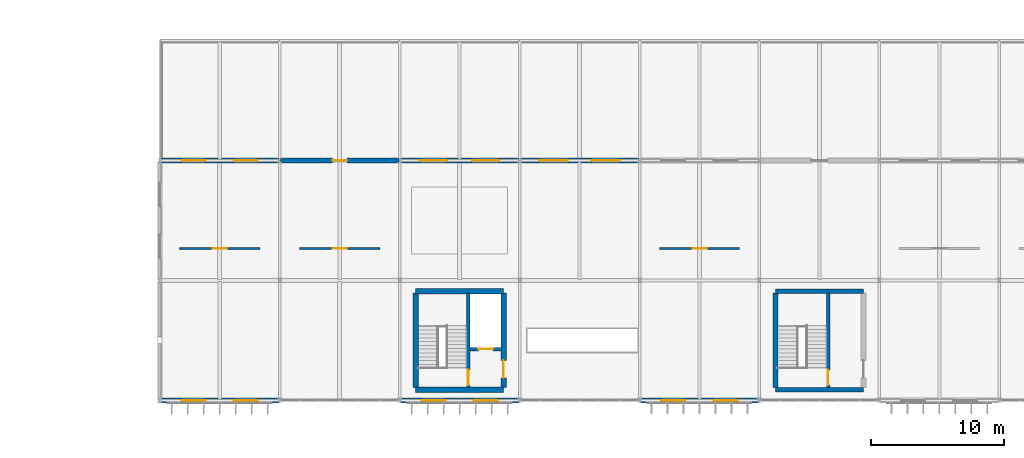
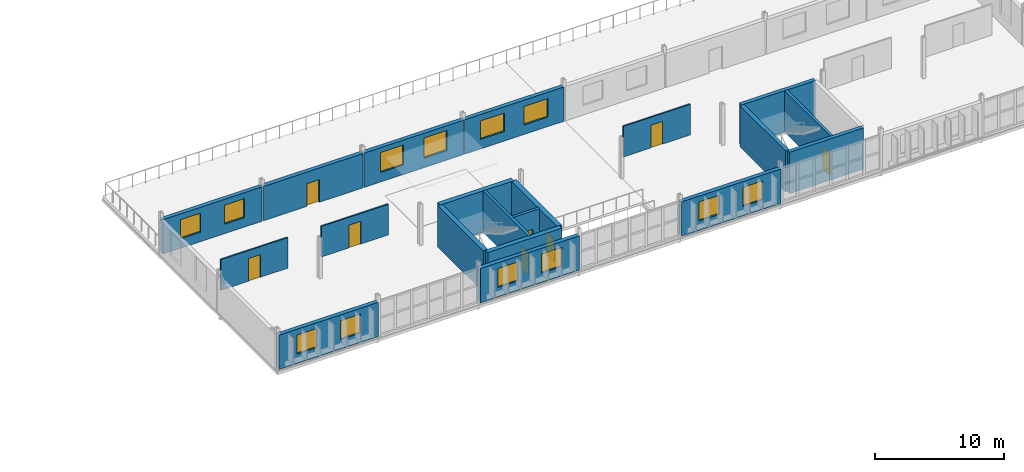
# One storey, part 103 of 123: 20 walls, 12 windows, 8 doors, 20 openings.
"""IFC4 building model written with IfcOpenShell, lengths in metres."""

from ifc_helpers import new_model, si_unit, direction, frame, frame_2d, origin, place, context, subcontext, project, spatial, rectangle, extrude, material, layer, layer_set, type_object, element, fill, save


model = new_model("IFC4")

# Units and contexts
model_context = context("Model", 3, precision=1e-05, world=origin(), true_north=direction((0.0, 1.0)))
body_context = subcontext(model_context, "Body", "Model", "MODEL_VIEW")
ifc_project = project(units=[si_unit("LENGTHUNIT", "METRE"), si_unit("AREAUNIT", "SQUARE_METRE"), si_unit("VOLUMEUNIT", "CUBIC_METRE"), si_unit("PLANEANGLEUNIT", "RADIAN"), si_unit("MASSUNIT", "GRAM", prefix="KILO")], contexts=[model_context])

# Site, building, storey
site_placement = place(None, origin())
site = spatial("IfcSite", under=ifc_project, at=site_placement, CompositionType="ELEMENT")
building_placement = place(site_placement, origin())
building = spatial("IfcBuilding", under=site, at=building_placement, Name="Kildeholm Park Wholesale Market", CompositionType="ELEMENT")
storey_placement = place(building_placement, frame((0.0, 0.0, 9.60009765625)))
storey = spatial("IfcBuildingStorey", under=building, at=storey_placement, Name="L02", CompositionType="ELEMENT", Elevation=9.60009765625)

# Wall, openings, windows
ifc_material_1 = material(Name="Red Danish clinker brick masonry with Concrete C35/45 backing", Category="masonry")
ifc_layer_1 = layer(ifc_material_1, 0.360107421875)
ifc_layer_set_1 = layer_set([ifc_layer_1], Name="Red Danish clinker brick masonry with Concrete C35/45 backing")
wall_type_1 = type_object("IfcWallType", Name="Exterior wall W-EX1 360 mm", PredefinedType="SOLIDWALL", material=ifc_layer_set_1)
wall_1_placement = place(storey_placement, frame((126.06005859375, 0.0, 0.0), z_axis=(0.0, 0.0, 1.0), x_axis=(1.0, 0.0, 0.0)))
wall_1 = element("IfcWall", 1, at=wall_1_placement, inside=storey, type_object=wall_type_1, Name="Exterior wall V5E-L02-S01.1 WL-0611", PredefinedType="SOLIDWALL", context=body_context, shape_type="SweptSolid", body=[
    extrude(rectangle(XDim=8.8798828125, YDim=0.360107421875, at=frame_2d((4.43994140625, 0.0))), origin(), (0.0, 0.0, 1.0), 3.25),
])
opening_1_placement = place(wall_1_placement, frame((1.5859375, 0.0, 0.89990234375)))
opening_1 = element("IfcOpeningElement", 2, at=opening_1_placement, cuts=wall_1, Name="Opening WN-07", PredefinedType="OPENING", context=body_context, shape_type="SweptSolid", body=[
    extrude(rectangle(XDim=1.800048828125, YDim=1.800048828125, at=frame_2d((0.89990234375, 0.89990234375))), frame((0.0, 0.18994140625, 0.0), z_axis=(0.0, -1.0, 0.0), x_axis=(1.0, 0.0, 0.0)), (0.0, 0.0, 1.0), 0.380126953125),
])
opening_2_placement = place(wall_1_placement, frame((5.493896484375, 0.0, 0.89990234375)))
opening_2 = element("IfcOpeningElement", 3, at=opening_2_placement, cuts=wall_1, Name="Opening WN-07", PredefinedType="OPENING", context=body_context, shape_type="SweptSolid", body=[
    extrude(rectangle(XDim=1.800048828125, YDim=1.800048828125, at=frame_2d((0.89990234375, 0.89990234375))), frame((0.0, 0.18994140625, 0.0), z_axis=(0.0, -1.0, 0.0), x_axis=(1.0, 0.0, 0.0)), (0.0, 0.0, 1.0), 0.380126953125),
])
ifc_material_2 = material(Name="Thermally broken aluminium and triple-glazed low-E glass", Category="aluminium")
window_type_1 = type_object("IfcWindowType", Name="Window WN-07 1800x1800", PartitioningType="DOUBLE_PANEL_VERTICAL", PredefinedType="WINDOW", material=ifc_material_2)
window_1_placement = place(opening_1_placement, origin())
window_1 = element("IfcWindow", 4, at=window_1_placement, inside=storey, type_object=window_type_1, Name="Window V5E-L02-S01.1.1 WIN-0414", OverallHeight=1.800048828125, OverallWidth=1.800048828125, PartitioningType="SINGLE_PANEL", PredefinedType="WINDOW", context=body_context, shape_type="SweptSolid", body=[
    extrude(rectangle(XDim=1.800048828125, YDim=1.800048828125, at=frame_2d((0.89990234375, 0.89990234375))), frame((0.0, 0.030029296875, 0.0), z_axis=(0.0, -1.0, 0.0), x_axis=(1.0, 0.0, 0.0)), (0.0, 0.0, 1.0), 0.06005859375),
])
fill(opening_1, window_1)
window_2_placement = place(opening_2_placement, origin())
window_2 = element("IfcWindow", 5, at=window_2_placement, inside=storey, type_object=window_type_1, Name="Window V5E-L02-S01.1.2 WIN-0415", OverallHeight=1.800048828125, OverallWidth=1.800048828125, PartitioningType="SINGLE_PANEL", PredefinedType="WINDOW", context=body_context, shape_type="SweptSolid", body=[
    extrude(rectangle(XDim=1.800048828125, YDim=1.800048828125, at=frame_2d((0.89990234375, 0.89990234375))), frame((0.0, 0.030029296875, 0.0), z_axis=(0.0, -1.0, 0.0), x_axis=(1.0, 0.0, 0.0)), (0.0, 0.0, 1.0), 0.06005859375),
])
fill(opening_2, window_2)

wall_2_placement = place(storey_placement, frame((144.06005859375, 0.0, 0.0), z_axis=(0.0, 0.0, 1.0), x_axis=(1.0, 0.0, 0.0)))
wall_2 = element("IfcWall", 6, at=wall_2_placement, inside=storey, type_object=wall_type_1, Name="Exterior wall V5E-L02-S03.1 WL-0612", PredefinedType="SOLIDWALL", context=body_context, shape_type="SweptSolid", body=[
    extrude(rectangle(XDim=8.8798828125, YDim=0.360107421875, at=frame_2d((4.43994140625, 0.0))), origin(), (0.0, 0.0, 1.0), 3.25),
])
opening_3_placement = place(wall_2_placement, frame((1.5859375, 0.0, 0.89990234375)))
opening_3 = element("IfcOpeningElement", 7, at=opening_3_placement, cuts=wall_2, Name="Opening WN-07", PredefinedType="OPENING", context=body_context, shape_type="SweptSolid", body=[
    extrude(rectangle(XDim=1.800048828125, YDim=1.800048828125, at=frame_2d((0.89990234375, 0.89990234375))), frame((0.0, 0.18994140625, 0.0), z_axis=(0.0, -1.0, 0.0), x_axis=(1.0, 0.0, 0.0)), (0.0, 0.0, 1.0), 0.380126953125),
])
opening_4_placement = place(wall_2_placement, frame((5.493896484375, 0.0, 0.89990234375)))
opening_4 = element("IfcOpeningElement", 8, at=opening_4_placement, cuts=wall_2, Name="Opening WN-07", PredefinedType="OPENING", context=body_context, shape_type="SweptSolid", body=[
    extrude(rectangle(XDim=1.800048828125, YDim=1.800048828125, at=frame_2d((0.89990234375, 0.89990234375))), frame((0.0, 0.18994140625, 0.0), z_axis=(0.0, -1.0, 0.0), x_axis=(1.0, 0.0, 0.0)), (0.0, 0.0, 1.0), 0.380126953125),
])
window_3_placement = place(opening_3_placement, origin())
window_3 = element("IfcWindow", 9, at=window_3_placement, inside=storey, type_object=window_type_1, Name="Window V5E-L02-S03.1.1 WIN-0416", OverallHeight=1.800048828125, OverallWidth=1.800048828125, PartitioningType="SINGLE_PANEL", PredefinedType="WINDOW", context=body_context, shape_type="SweptSolid", body=[
    extrude(rectangle(XDim=1.800048828125, YDim=1.800048828125, at=frame_2d((0.89990234375, 0.89990234375))), frame((0.0, 0.030029296875, 0.0), z_axis=(0.0, -1.0, 0.0), x_axis=(1.0, 0.0, 0.0)), (0.0, 0.0, 1.0), 0.06005859375),
])
fill(opening_3, window_3)
window_4_placement = place(opening_4_placement, origin())
window_4 = element("IfcWindow", 10, at=window_4_placement, inside=storey, type_object=window_type_1, Name="Window V5E-L02-S03.1.2 WIN-0417", OverallHeight=1.800048828125, OverallWidth=1.800048828125, PartitioningType="SINGLE_PANEL", PredefinedType="WINDOW", context=body_context, shape_type="SweptSolid", body=[
    extrude(rectangle(XDim=1.800048828125, YDim=1.800048828125, at=frame_2d((0.89990234375, 0.89990234375))), frame((0.0, 0.030029296875, 0.0), z_axis=(0.0, -1.0, 0.0), x_axis=(1.0, 0.0, 0.0)), (0.0, 0.0, 1.0), 0.06005859375),
])
fill(opening_4, window_4)

wall_3_placement = place(storey_placement, frame((162.06005859375, 0.0, 0.0), z_axis=(0.0, 0.0, 1.0), x_axis=(1.0, 0.0, 0.0)))
wall_3 = element("IfcWall", 11, at=wall_3_placement, inside=storey, type_object=wall_type_1, Name="Exterior wall V5E-L02-S05.1 WL-0613", PredefinedType="SOLIDWALL", context=body_context, shape_type="SweptSolid", body=[
    extrude(rectangle(XDim=8.8798828125, YDim=0.360107421875, at=frame_2d((4.43994140625, 0.0))), origin(), (0.0, 0.0, 1.0), 3.25),
])
opening_5_placement = place(wall_3_placement, frame((1.5859375, 0.0, 0.89990234375)))
opening_5 = element("IfcOpeningElement", 12, at=opening_5_placement, cuts=wall_3, Name="Opening WN-07", PredefinedType="OPENING", context=body_context, shape_type="SweptSolid", body=[
    extrude(rectangle(XDim=1.800048828125, YDim=1.800048828125, at=frame_2d((0.89990234375, 0.89990234375))), frame((0.0, 0.18994140625, 0.0), z_axis=(0.0, -1.0, 0.0), x_axis=(1.0, 0.0, 0.0)), (0.0, 0.0, 1.0), 0.380126953125),
])
opening_6_placement = place(wall_3_placement, frame((5.493896484375, 0.0, 0.89990234375)))
opening_6 = element("IfcOpeningElement", 13, at=opening_6_placement, cuts=wall_3, Name="Opening WN-07", PredefinedType="OPENING", context=body_context, shape_type="SweptSolid", body=[
    extrude(rectangle(XDim=1.800048828125, YDim=1.800048828125, at=frame_2d((0.89990234375, 0.89990234375))), frame((0.0, 0.18994140625, 0.0), z_axis=(0.0, -1.0, 0.0), x_axis=(1.0, 0.0, 0.0)), (0.0, 0.0, 1.0), 0.380126953125),
])
window_5_placement = place(opening_5_placement, origin())
window_5 = element("IfcWindow", 14, at=window_5_placement, inside=storey, type_object=window_type_1, Name="Window V5E-L02-S05.1.1 WIN-0418", OverallHeight=1.800048828125, OverallWidth=1.800048828125, PartitioningType="SINGLE_PANEL", PredefinedType="WINDOW", context=body_context, shape_type="SweptSolid", body=[
    extrude(rectangle(XDim=1.800048828125, YDim=1.800048828125, at=frame_2d((0.89990234375, 0.89990234375))), frame((0.0, 0.030029296875, 0.0), z_axis=(0.0, -1.0, 0.0), x_axis=(1.0, 0.0, 0.0)), (0.0, 0.0, 1.0), 0.06005859375),
])
fill(opening_5, window_5)
window_6_placement = place(opening_6_placement, origin())
window_6 = element("IfcWindow", 15, at=window_6_placement, inside=storey, type_object=window_type_1, Name="Window V5E-L02-S05.1.2 WIN-0419", OverallHeight=1.800048828125, OverallWidth=1.800048828125, PartitioningType="SINGLE_PANEL", PredefinedType="WINDOW", context=body_context, shape_type="SweptSolid", body=[
    extrude(rectangle(XDim=1.800048828125, YDim=1.800048828125, at=frame_2d((0.89990234375, 0.89990234375))), frame((0.0, 0.030029296875, 0.0), z_axis=(0.0, -1.0, 0.0), x_axis=(1.0, 0.0, 0.0)), (0.0, 0.0, 1.0), 0.06005859375),
])
fill(opening_6, window_6)

wall_4_placement = place(storey_placement, frame((126.06005859375, 18.0, 0.0), z_axis=(0.0, 0.0, 1.0), x_axis=(1.0, 0.0, 0.0)))
wall_4 = element("IfcWall", 16, at=wall_4_placement, inside=storey, type_object=wall_type_1, Name="Exterior wall V5E-L02-N.1 WL-0615", PredefinedType="SOLIDWALL", context=body_context, shape_type="SweptSolid", body=[
    extrude(rectangle(XDim=8.8798828125, YDim=0.360107421875, at=frame_2d((4.43994140625, 0.0))), origin(), (0.0, 0.0, 1.0), 3.25),
])
opening_7_placement = place(wall_4_placement, frame((1.5859375, 0.0, 0.89990234375)))
opening_7 = element("IfcOpeningElement", 17, at=opening_7_placement, cuts=wall_4, Name="Opening WN-07", PredefinedType="OPENING", context=body_context, shape_type="SweptSolid", body=[
    extrude(rectangle(XDim=1.800048828125, YDim=1.800048828125, at=frame_2d((0.89990234375, 0.89990234375))), frame((0.0, 0.18994140625, 0.0), z_axis=(0.0, -1.0, 0.0), x_axis=(1.0, 0.0, 0.0)), (0.0, 0.0, 1.0), 0.380126953125),
])
opening_8_placement = place(wall_4_placement, frame((5.493896484375, 0.0, 0.89990234375)))
opening_8 = element("IfcOpeningElement", 18, at=opening_8_placement, cuts=wall_4, Name="Opening WN-07", PredefinedType="OPENING", context=body_context, shape_type="SweptSolid", body=[
    extrude(rectangle(XDim=1.800048828125, YDim=1.800048828125, at=frame_2d((0.89990234375, 0.89990234375))), frame((0.0, 0.18994140625, 0.0), z_axis=(0.0, -1.0, 0.0), x_axis=(1.0, 0.0, 0.0)), (0.0, 0.0, 1.0), 0.380126953125),
])
window_7_placement = place(opening_7_placement, origin())
window_7 = element("IfcWindow", 19, at=window_7_placement, inside=storey, type_object=window_type_1, Name="Window V5E-L02-N.1.1 WIN-0422", OverallHeight=1.800048828125, OverallWidth=1.800048828125, PartitioningType="SINGLE_PANEL", PredefinedType="WINDOW", context=body_context, shape_type="SweptSolid", body=[
    extrude(rectangle(XDim=1.800048828125, YDim=1.800048828125, at=frame_2d((0.89990234375, 0.89990234375))), frame((0.0, 0.030029296875, 0.0), z_axis=(0.0, -1.0, 0.0), x_axis=(1.0, 0.0, 0.0)), (0.0, 0.0, 1.0), 0.06005859375),
])
fill(opening_7, window_7)
window_8_placement = place(opening_8_placement, origin())
window_8 = element("IfcWindow", 20, at=window_8_placement, inside=storey, type_object=window_type_1, Name="Window V5E-L02-N.1.2 WIN-0423", OverallHeight=1.800048828125, OverallWidth=1.800048828125, PartitioningType="SINGLE_PANEL", PredefinedType="WINDOW", context=body_context, shape_type="SweptSolid", body=[
    extrude(rectangle(XDim=1.800048828125, YDim=1.800048828125, at=frame_2d((0.89990234375, 0.89990234375))), frame((0.0, 0.030029296875, 0.0), z_axis=(0.0, -1.0, 0.0), x_axis=(1.0, 0.0, 0.0)), (0.0, 0.0, 1.0), 0.06005859375),
])
fill(opening_8, window_8)

# Wall, opening, door
wall_5_placement = place(storey_placement, frame((135.06005859375, 18.0, 0.0), z_axis=(0.0, 0.0, 1.0), x_axis=(1.0, 0.0, 0.0)))
wall_5 = element("IfcWall", 21, at=wall_5_placement, inside=storey, type_object=wall_type_1, Name="Exterior wall V5E-L02-N.2 WL-0616", PredefinedType="SOLIDWALL", context=body_context, shape_type="SweptSolid", body=[
    extrude(rectangle(XDim=8.8798828125, YDim=0.360107421875, at=frame_2d((4.43994140625, 0.0))), origin(), (0.0, 0.0, 1.0), 3.25),
])
opening_9_placement = place(wall_5_placement, frame((3.889892578125, 0.0, 0.0)))
opening_9 = element("IfcOpeningElement", 22, at=opening_9_placement, cuts=wall_5, Name="Opening D-EX06", PredefinedType="OPENING", context=body_context, shape_type="SweptSolid", body=[
    extrude(rectangle(XDim=1.10009765625, YDim=2.14990234375, at=frame_2d((0.550048828125, 1.074951171875))), frame((0.0, 0.18994140625, 0.0), z_axis=(0.0, -1.0, 0.0), x_axis=(1.0, 0.0, 0.0)), (0.0, 0.0, 1.0), 0.380126953125),
])
ifc_material_3 = material(Name="Anodised aluminium terrace doorset", Category="aluminium")
door_type_1 = type_object("IfcDoorType", Name="Exterior door D-EX06 1100x2150", OperationType="NOTDEFINED", PredefinedType="DOOR", material=ifc_material_3)
door_1_placement = place(opening_9_placement, origin())
door_1 = element("IfcDoor", 23, at=door_1_placement, inside=storey, type_object=door_type_1, Name="Door V5E-L02-N.2 DR-0068 WL-0616", OperationType="SINGLE_SWING_RIGHT", OverallHeight=2.14990234375, OverallWidth=1.10009765625, PredefinedType="DOOR", context=body_context, shape_type="SweptSolid", body=[
    extrude(rectangle(XDim=1.10009765625, YDim=2.14990234375, at=frame_2d((0.550048828125, 1.074951171875))), frame((0.0, 0.02490234375, 0.0), z_axis=(0.0, -1.0, 0.0), x_axis=(1.0, 0.0, 0.0)), (0.0, 0.0, 1.0), 0.050048828125),
])
fill(opening_9, door_1)

# Wall, openings, windows
wall_6_placement = place(storey_placement, frame((144.06005859375, 18.0, 0.0), z_axis=(0.0, 0.0, 1.0), x_axis=(1.0, 0.0, 0.0)))
wall_6 = element("IfcWall", 24, at=wall_6_placement, inside=storey, type_object=wall_type_1, Name="Exterior wall V5E-L02-N.3 WL-0617", PredefinedType="SOLIDWALL", context=body_context, shape_type="SweptSolid", body=[
    extrude(rectangle(XDim=8.8798828125, YDim=0.360107421875, at=frame_2d((4.43994140625, 0.0))), origin(), (0.0, 0.0, 1.0), 3.25),
])
opening_10_placement = place(wall_6_placement, frame((1.4609375, 0.0, 0.89990234375)))
opening_10 = element("IfcOpeningElement", 25, at=opening_10_placement, cuts=wall_6, Name="Opening WN-31", PredefinedType="OPENING", context=body_context, shape_type="SweptSolid", body=[
    extrude(rectangle(XDim=2.050048828125, YDim=1.89990234375, at=frame_2d((1.02490234375, 0.949951171875))), frame((0.0, 0.18994140625, 0.0), z_axis=(0.0, -1.0, 0.0), x_axis=(1.0, 0.0, 0.0)), (0.0, 0.0, 1.0), 0.380126953125),
])
opening_11_placement = place(wall_6_placement, frame((5.368896484375, 0.0, 0.89990234375)))
opening_11 = element("IfcOpeningElement", 26, at=opening_11_placement, cuts=wall_6, Name="Opening WN-31", PredefinedType="OPENING", context=body_context, shape_type="SweptSolid", body=[
    extrude(rectangle(XDim=2.050048828125, YDim=1.89990234375, at=frame_2d((1.02490234375, 0.949951171875))), frame((0.0, 0.18994140625, 0.0), z_axis=(0.0, -1.0, 0.0), x_axis=(1.0, 0.0, 0.0)), (0.0, 0.0, 1.0), 0.380126953125),
])
window_type_2 = type_object("IfcWindowType", Name="Window WN-31 2050x1900", PartitioningType="TRIPLE_PANEL_VERTICAL", PredefinedType="WINDOW", material=ifc_material_2)
window_9_placement = place(opening_10_placement, origin())
window_9 = element("IfcWindow", 27, at=window_9_placement, inside=storey, type_object=window_type_2, Name="Window V5E-L02-N.3.1 WIN-0424", OverallHeight=1.89990234375, OverallWidth=2.050048828125, PartitioningType="SINGLE_PANEL", PredefinedType="WINDOW", context=body_context, shape_type="SweptSolid", body=[
    extrude(rectangle(XDim=2.050048828125, YDim=1.89990234375, at=frame_2d((1.02490234375, 0.949951171875))), frame((0.0, 0.030029296875, 0.0), z_axis=(0.0, -1.0, 0.0), x_axis=(1.0, 0.0, 0.0)), (0.0, 0.0, 1.0), 0.06005859375),
])
fill(opening_10, window_9)
window_10_placement = place(opening_11_placement, origin())
window_10 = element("IfcWindow", 28, at=window_10_placement, inside=storey, type_object=window_type_2, Name="Window V5E-L02-N.3.2 WIN-0425", OverallHeight=1.89990234375, OverallWidth=2.050048828125, PartitioningType="SINGLE_PANEL", PredefinedType="WINDOW", context=body_context, shape_type="SweptSolid", body=[
    extrude(rectangle(XDim=2.050048828125, YDim=1.89990234375, at=frame_2d((1.02490234375, 0.949951171875))), frame((0.0, 0.030029296875, 0.0), z_axis=(0.0, -1.0, 0.0), x_axis=(1.0, 0.0, 0.0)), (0.0, 0.0, 1.0), 0.06005859375),
])
fill(opening_11, window_10)

wall_7_placement = place(storey_placement, frame((153.06005859375, 18.0, 0.0), z_axis=(0.0, 0.0, 1.0), x_axis=(1.0, 0.0, 0.0)))
wall_7 = element("IfcWall", 29, at=wall_7_placement, inside=storey, type_object=wall_type_1, Name="Exterior wall V5E-L02-N.4 WL-0618", PredefinedType="SOLIDWALL", context=body_context, shape_type="SweptSolid", body=[
    extrude(rectangle(XDim=8.8798828125, YDim=0.360107421875, at=frame_2d((4.43994140625, 0.0))), origin(), (0.0, 0.0, 1.0), 3.25),
])
opening_12_placement = place(wall_7_placement, frame((1.410888671875, 0.0, 0.89990234375)))
opening_12 = element("IfcOpeningElement", 30, at=opening_12_placement, cuts=wall_7, Name="Opening WN-32", PredefinedType="OPENING", context=body_context, shape_type="SweptSolid", body=[
    extrude(rectangle(XDim=2.14990234375, YDim=1.75, at=frame_2d((1.074951171875, 0.875))), frame((0.0, 0.18994140625, 0.0), z_axis=(0.0, -1.0, 0.0), x_axis=(1.0, 0.0, 0.0)), (0.0, 0.0, 1.0), 0.380126953125),
])
opening_13_placement = place(wall_7_placement, frame((5.319091796875, 0.0, 0.89990234375)))
opening_13 = element("IfcOpeningElement", 31, at=opening_13_placement, cuts=wall_7, Name="Opening WN-32", PredefinedType="OPENING", context=body_context, shape_type="SweptSolid", body=[
    extrude(rectangle(XDim=2.14990234375, YDim=1.75, at=frame_2d((1.074951171875, 0.875))), frame((0.0, 0.18994140625, 0.0), z_axis=(0.0, -1.0, 0.0), x_axis=(1.0, 0.0, 0.0)), (0.0, 0.0, 1.0), 0.380126953125),
])
window_type_3 = type_object("IfcWindowType", Name="Window WN-32 2150x1750", PartitioningType="TRIPLE_PANEL_VERTICAL", PredefinedType="WINDOW", material=ifc_material_2)
window_11_placement = place(opening_12_placement, origin())
window_11 = element("IfcWindow", 32, at=window_11_placement, inside=storey, type_object=window_type_3, Name="Window V5E-L02-N.4.1 WIN-0426", OverallHeight=1.75, OverallWidth=2.14990234375, PartitioningType="SINGLE_PANEL", PredefinedType="WINDOW", context=body_context, shape_type="SweptSolid", body=[
    extrude(rectangle(XDim=2.14990234375, YDim=1.75, at=frame_2d((1.074951171875, 0.875))), frame((0.0, 0.030029296875, 0.0), z_axis=(0.0, -1.0, 0.0), x_axis=(1.0, 0.0, 0.0)), (0.0, 0.0, 1.0), 0.06005859375),
])
fill(opening_12, window_11)
window_12_placement = place(opening_13_placement, origin())
window_12 = element("IfcWindow", 33, at=window_12_placement, inside=storey, type_object=window_type_3, Name="Window V5E-L02-N.4.2 WIN-0427", OverallHeight=1.75, OverallWidth=2.14990234375, PartitioningType="SINGLE_PANEL", PredefinedType="WINDOW", context=body_context, shape_type="SweptSolid", body=[
    extrude(rectangle(XDim=2.14990234375, YDim=1.75, at=frame_2d((1.074951171875, 0.875))), frame((0.0, 0.030029296875, 0.0), z_axis=(0.0, -1.0, 0.0), x_axis=(1.0, 0.0, 0.0)), (0.0, 0.0, 1.0), 0.06005859375),
])
fill(opening_13, window_12)

# Wall, opening, door
ifc_material_4 = material(Name="Glazed office and laboratory acoustic partition")
ifc_layer_2 = layer(ifc_material_4, 0.1298828125)
ifc_layer_set_2 = layer_set([ifc_layer_2], Name="Glazed office and laboratory acoustic partition")
wall_type_2 = type_object("IfcWallType", Name="Partition W-PT12 130 mm", PredefinedType="PARTITIONING", material=ifc_layer_set_2)
wall_8_placement = place(storey_placement, frame((127.5, 11.39990234375, 0.0), z_axis=(0.0, 0.0, 1.0), x_axis=(1.0, 0.0, 0.0)))
wall_8 = element("IfcWall", 34, at=wall_8_placement, inside=storey, type_object=wall_type_2, Name="Interior partition W-V5E-L02-C1 WL-1046", PredefinedType="PARTITIONING", context=body_context, shape_type="SweptSolid", body=[
    extrude(rectangle(XDim=6.0, YDim=0.1298828125, at=frame_2d((3.0, 0.0))), origin(), (0.0, 0.0, 1.0), 2.89990234375),
])
opening_14_placement = place(wall_8_placement, frame((2.47509765625, 0.0, 0.0)))
opening_14 = element("IfcOpeningElement", 35, at=opening_14_placement, cuts=wall_8, Name="Opening D-IN10", PredefinedType="OPENING", context=body_context, shape_type="SweptSolid", body=[
    extrude(rectangle(XDim=1.050048828125, YDim=2.14990234375, at=frame_2d((0.52490234375, 1.074951171875))), frame((0.0, 0.074951171875, 0.0), z_axis=(0.0, -1.0, 0.0), x_axis=(1.0, 0.0, 0.0)), (0.0, 0.0, 1.0), 0.14990234375),
])
ifc_material_5 = material(Name="Veterinary inspection office doorset")
door_type_2 = type_object("IfcDoorType", Name="Interior door D-IN10 1050x2150", OperationType="NOTDEFINED", PredefinedType="DOOR", material=ifc_material_5)
door_2_placement = place(opening_14_placement, origin())
door_2 = element("IfcDoor", 36, at=door_2_placement, inside=storey, type_object=door_type_2, Name="Interior door V5E-L02-C1 DR-0321 WL-1046", OperationType="SINGLE_SWING_LEFT", OverallHeight=2.14990234375, OverallWidth=1.050048828125, PredefinedType="DOOR", context=body_context, shape_type="SweptSolid", body=[
    extrude(rectangle(XDim=1.050048828125, YDim=2.14990234375, at=frame_2d((0.52490234375, 1.074951171875))), frame((0.0, 0.02490234375, 0.0), z_axis=(0.0, -1.0, 0.0), x_axis=(1.0, 0.0, 0.0)), (0.0, 0.0, 1.0), 0.050048828125),
])
fill(opening_14, door_2)

wall_9_placement = place(storey_placement, frame((136.5, 11.39990234375, 0.0), z_axis=(0.0, 0.0, 1.0), x_axis=(1.0, 0.0, 0.0)))
wall_9 = element("IfcWall", 37, at=wall_9_placement, inside=storey, type_object=wall_type_2, Name="Interior partition W-V5E-L02-C2 WL-1047", PredefinedType="PARTITIONING", context=body_context, shape_type="SweptSolid", body=[
    extrude(rectangle(XDim=6.0, YDim=0.1298828125, at=frame_2d((3.0, 0.0))), origin(), (0.0, 0.0, 1.0), 2.89990234375),
])
opening_15_placement = place(wall_9_placement, frame((2.47509765625, 0.0, 0.0)))
opening_15 = element("IfcOpeningElement", 38, at=opening_15_placement, cuts=wall_9, Name="Opening D-IN10", PredefinedType="OPENING", context=body_context, shape_type="SweptSolid", body=[
    extrude(rectangle(XDim=1.050048828125, YDim=2.14990234375, at=frame_2d((0.52490234375, 1.074951171875))), frame((0.0, 0.074951171875, 0.0), z_axis=(0.0, -1.0, 0.0), x_axis=(1.0, 0.0, 0.0)), (0.0, 0.0, 1.0), 0.14990234375),
])
door_3_placement = place(opening_15_placement, origin())
door_3 = element("IfcDoor", 39, at=door_3_placement, inside=storey, type_object=door_type_2, Name="Interior door V5E-L02-C2 DR-0322 WL-1047", OperationType="SINGLE_SWING_RIGHT", OverallHeight=2.14990234375, OverallWidth=1.050048828125, PredefinedType="DOOR", context=body_context, shape_type="SweptSolid", body=[
    extrude(rectangle(XDim=1.050048828125, YDim=2.14990234375, at=frame_2d((0.52490234375, 1.074951171875))), frame((0.0, 0.02490234375, 0.0), z_axis=(0.0, -1.0, 0.0), x_axis=(1.0, 0.0, 0.0)), (0.0, 0.0, 1.0), 0.050048828125),
])
fill(opening_15, door_3)

wall_10_placement = place(storey_placement, frame((163.5, 11.39990234375, 0.0), z_axis=(0.0, 0.0, 1.0), x_axis=(1.0, 0.0, 0.0)))
wall_10 = element("IfcWall", 40, at=wall_10_placement, inside=storey, type_object=wall_type_2, Name="Interior partition W-V5E-L02-C5 WL-1048", PredefinedType="PARTITIONING", context=body_context, shape_type="SweptSolid", body=[
    extrude(rectangle(XDim=6.0, YDim=0.1298828125, at=frame_2d((3.0, 0.0))), origin(), (0.0, 0.0, 1.0), 2.89990234375),
])
opening_16_placement = place(wall_10_placement, frame((2.47509765625, 0.0, 0.0)))
opening_16 = element("IfcOpeningElement", 41, at=opening_16_placement, cuts=wall_10, Name="Opening D-IN10", PredefinedType="OPENING", context=body_context, shape_type="SweptSolid", body=[
    extrude(rectangle(XDim=1.050048828125, YDim=2.14990234375, at=frame_2d((0.52490234375, 1.074951171875))), frame((0.0, 0.074951171875, 0.0), z_axis=(0.0, -1.0, 0.0), x_axis=(1.0, 0.0, 0.0)), (0.0, 0.0, 1.0), 0.14990234375),
])
door_4_placement = place(opening_16_placement, origin())
door_4 = element("IfcDoor", 42, at=door_4_placement, inside=storey, type_object=door_type_2, Name="Interior door V5E-L02-C5 DR-0323 WL-1048", OperationType="SINGLE_SWING_LEFT", OverallHeight=2.14990234375, OverallWidth=1.050048828125, PredefinedType="DOOR", context=body_context, shape_type="SweptSolid", body=[
    extrude(rectangle(XDim=1.050048828125, YDim=2.14990234375, at=frame_2d((0.52490234375, 1.074951171875))), frame((0.0, 0.02490234375, 0.0), z_axis=(0.0, -1.0, 0.0), x_axis=(1.0, 0.0, 0.0)), (0.0, 0.0, 1.0), 0.050048828125),
])
fill(opening_16, door_4)

ifc_material_6 = material(Name="Concrete C40/50", Category="concrete")
ifc_layer_3 = layer(ifc_material_6, 0.25)
ifc_layer_set_3 = layer_set([ifc_layer_3], Name="Concrete C40/50")
wall_type_3 = type_object("IfcWallType", Name="Shear wall W-SH2 250 mm", PredefinedType="SHEAR", material=ifc_layer_set_3)
wall_11_placement = place(storey_placement, frame((149.14990234375, 0.949951171875, 0.0), z_axis=(0.0, 0.0, 1.0), x_axis=(0.0, 1.0, 0.0)))
wall_11 = element("IfcWall", 43, at=wall_11_placement, inside=storey, type_object=wall_type_3, Name="Core C06 shaft wall L02 WL-0764", PredefinedType="SHEAR", context=body_context, shape_type="SweptSolid", body=[
    extrude(rectangle(XDim=7.10009765625, YDim=0.25, at=frame_2d((3.550048828125, 0.0))), origin(), (0.0, 0.0, 1.0), 3.89990234375),
])
opening_17_placement = place(wall_11_placement, frame((0.199951171875, 0.0, 0.0)))
opening_17 = element("IfcOpeningElement", 44, at=opening_17_placement, cuts=wall_11, Name="Opening D-CR01", PredefinedType="OPENING", context=body_context, shape_type="SweptSolid", body=[
    extrude(rectangle(XDim=1.14990234375, YDim=2.14990234375, at=frame_2d((0.574951171875, 1.074951171875))), frame((0.0, 0.135009765625, 0.0), z_axis=(0.0, -1.0, 0.0), x_axis=(1.0, 0.0, 0.0)), (0.0, 0.0, 1.0), 0.27001953125),
])
ifc_material_7 = material(Name="Painted steel fire escape doorset", Category="steel")
door_type_3 = type_object("IfcDoorType", Name="Interior door D-CR01 1150x2150", OperationType="NOTDEFINED", PredefinedType="DOOR", material=ifc_material_7)
door_5_placement = place(opening_17_placement, frame((1.14990234375, 0.0, 0.0), z_axis=(0.0, 0.0, 1.0), x_axis=(-1.0, 0.0, 0.0)))
door_5 = element("IfcDoor", 45, at=door_5_placement, inside=storey, type_object=door_type_3, Name="Core C06 stair fire door L02 DR-0132 WL-0764", OperationType="SINGLE_SWING_LEFT", OverallHeight=2.14990234375, OverallWidth=1.14990234375, PredefinedType="DOOR", context=body_context, shape_type="SweptSolid", body=[
    extrude(rectangle(XDim=1.14990234375, YDim=2.14990234375, at=frame_2d((0.574951171875, 1.074951171875))), frame((0.0, 0.02490234375, 0.0), z_axis=(0.0, -1.0, 0.0), x_axis=(1.0, 0.0, 0.0)), (0.0, 0.0, 1.0), 0.050048828125),
])
fill(opening_17, door_5)

wall_12_placement = place(storey_placement, frame((149.27001953125, 3.85009765625, 0.0), z_axis=(0.0, 0.0, 1.0), x_axis=(1.0, 0.0, 0.0)))
wall_12 = element("IfcWall", 46, at=wall_12_placement, inside=storey, type_object=wall_type_3, Name="Lift LF-02 shaft front wall L02 WL-0765", PredefinedType="SHEAR", context=body_context, shape_type="SweptSolid", body=[
    extrude(rectangle(XDim=2.3798828125, YDim=0.25, at=frame_2d((1.18994140625, 0.0))), origin(), (0.0, 0.0, 1.0), 3.89990234375),
])
opening_18_placement = place(wall_12_placement, frame((0.639892578125, 0.0, 0.0)))
opening_18 = element("IfcOpeningElement", 47, at=opening_18_placement, cuts=wall_12, Name="Opening LD-02", PredefinedType="OPENING", context=body_context, shape_type="SweptSolid", body=[
    extrude(rectangle(XDim=1.10009765625, YDim=2.14990234375, at=frame_2d((0.550048828125, 1.074951171875))), frame((0.0, 0.135009765625, 0.0), z_axis=(0.0, -1.0, 0.0), x_axis=(1.0, 0.0, 0.0)), (0.0, 0.0, 1.0), 0.27001953125),
])
ifc_material_8 = material(Name="Stainless steel AISI 316 passenger lift landing door", Category="steel")
door_type_4 = type_object("IfcDoorType", Name="Interior door D-LD01 1100x2150", OperationType="NOTDEFINED", PredefinedType="DOOR", material=ifc_material_8)
door_6_placement = place(opening_18_placement, origin())
door_6 = element("IfcDoor", 48, at=door_6_placement, inside=storey, type_object=door_type_4, Name="Lift LF-02 sliding landing door L02 DR-0133 WL-0765", OperationType="SLIDING_TO_LEFT", OverallHeight=2.14990234375, OverallWidth=1.10009765625, PredefinedType="DOOR", context=body_context, shape_type="SweptSolid", body=[
    extrude(rectangle(XDim=1.10009765625, YDim=2.14990234375, at=frame_2d((0.550048828125, 1.074951171875))), frame((0.0, 0.02490234375, 0.0), z_axis=(0.0, -1.0, 0.0), x_axis=(1.0, 0.0, 0.0)), (0.0, 0.0, 1.0), 0.050048828125),
])
fill(opening_18, door_6)

wall_13_placement = place(storey_placement, frame((176.14990234375, 0.949951171875, 0.0), z_axis=(0.0, 0.0, 1.0), x_axis=(0.0, 1.0, 0.0)))
wall_13 = element("IfcWall", 49, at=wall_13_placement, inside=storey, type_object=wall_type_3, Name="Core C07 shaft wall L02 WL-0786", PredefinedType="SHEAR", context=body_context, shape_type="SweptSolid", body=[
    extrude(rectangle(XDim=7.10009765625, YDim=0.25, at=frame_2d((3.550048828125, 0.0))), origin(), (0.0, 0.0, 1.0), 3.89990234375),
])
opening_19_placement = place(wall_13_placement, frame((0.199951171875, 0.0, 0.0)))
opening_19 = element("IfcOpeningElement", 50, at=opening_19_placement, cuts=wall_13, Name="Opening D-CR01", PredefinedType="OPENING", context=body_context, shape_type="SweptSolid", body=[
    extrude(rectangle(XDim=1.14990234375, YDim=2.14990234375, at=frame_2d((0.574951171875, 1.074951171875))), frame((0.0, 0.135009765625, 0.0), z_axis=(0.0, -1.0, 0.0), x_axis=(1.0, 0.0, 0.0)), (0.0, 0.0, 1.0), 0.27001953125),
])
door_7_placement = place(opening_19_placement, frame((1.14990234375, 0.0, 0.0), z_axis=(0.0, 0.0, 1.0), x_axis=(-1.0, 0.0, 0.0)))
door_7 = element("IfcDoor", 51, at=door_7_placement, inside=storey, type_object=door_type_3, Name="Core C07 stair fire door L02 DR-0143 WL-0786", OperationType="SINGLE_SWING_LEFT", OverallHeight=2.14990234375, OverallWidth=1.14990234375, PredefinedType="DOOR", context=body_context, shape_type="SweptSolid", body=[
    extrude(rectangle(XDim=1.14990234375, YDim=2.14990234375, at=frame_2d((0.574951171875, 1.074951171875))), frame((0.0, 0.02490234375, 0.0), z_axis=(0.0, -1.0, 0.0), x_axis=(1.0, 0.0, 0.0)), (0.0, 0.0, 1.0), 0.050048828125),
])
fill(opening_19, door_7)

# Walls
ifc_layer_4 = layer(ifc_material_6, 0.35009765625)
ifc_layer_set_4 = layer_set([ifc_layer_4], Name="Concrete C40/50")
wall_type_4 = type_object("IfcWallType", Name="Shear wall W-SH3 350 mm", PredefinedType="SHEAR", material=ifc_layer_set_4)
for number, where, z_axis, x_axis, name in (
    (52, (172.199951171875, 0.800048828125, 0.0), (0.0, 0.0, 1.0), (1.0, 0.0, 0.0), "Core C07 south shear wall L02 WL-0782"),
    (53, (172.199951171875, 8.199951171875, 0.0), (0.0, 0.0, 1.0), (1.0, 0.0, 0.0), "Core C07 north shear wall L02 WL-0783"),
):
    element("IfcWall", number, at=place(storey_placement, frame(where, z_axis=z_axis, x_axis=x_axis)), inside=storey, type_object=wall_type_4, Name=name, PredefinedType="SHEAR", context=body_context, shape_type="SweptSolid", body=[
        extrude(rectangle(XDim=6.60009765625, YDim=0.35009765625, at=frame_2d((3.300048828125, 0.0))), origin(), (0.0, 0.0, 1.0), 3.89990234375),
    ])
wall_14_placement = place(storey_placement, frame((172.199951171875, 0.949951171875, 0.0), z_axis=(0.0, 0.0, 1.0), x_axis=(0.0, 1.0, 0.0)))
element("IfcWall", 54, at=wall_14_placement, inside=storey, type_object=wall_type_4, Name="Core C07 west shear wall L02 WL-0784", PredefinedType="SHEAR", context=body_context, shape_type="SweptSolid", body=[
    extrude(rectangle(XDim=7.10009765625, YDim=0.35009765625, at=frame_2d((3.550048828125, 0.0))), origin(), (0.0, 0.0, 1.0), 3.89990234375),
])
ifc_layer_5 = layer(ifc_material_6, 0.419921875)
ifc_layer_set_5 = layer_set([ifc_layer_5], Name="Concrete C40/50")
wall_type_5 = type_object("IfcWallType", Name="Shear wall W-SH4 420 mm", PredefinedType="SHEAR", material=ifc_layer_set_5)
for number, where, z_axis, x_axis, name in (
    (55, (145.199951171875, 0.800048828125, 0.0), (0.0, 0.0, 1.0), (1.0, 0.0, 0.0), "Core C06 south shear wall L02 WL-0760"),
    (56, (145.199951171875, 8.199951171875, 0.0), (0.0, 0.0, 1.0), (1.0, 0.0, 0.0), "Core C06 north shear wall L02 WL-0761"),
):
    element("IfcWall", number, at=place(storey_placement, frame(where, z_axis=z_axis, x_axis=x_axis)), inside=storey, type_object=wall_type_5, Name=name, PredefinedType="SHEAR", context=body_context, shape_type="SweptSolid", body=[
        extrude(rectangle(XDim=6.60009765625, YDim=0.419921875, at=frame_2d((3.300048828125, 0.0))), origin(), (0.0, 0.0, 1.0), 3.89990234375),
    ])
wall_15_placement = place(storey_placement, frame((145.199951171875, 0.949951171875, 0.0), z_axis=(0.0, 0.0, 1.0), x_axis=(0.0, 1.0, 0.0)))
element("IfcWall", 57, at=wall_15_placement, inside=storey, type_object=wall_type_5, Name="Core C06 west shear wall L02 WL-0762", PredefinedType="SHEAR", context=body_context, shape_type="SweptSolid", body=[
    extrude(rectangle(XDim=7.10009765625, YDim=0.419921875, at=frame_2d((3.550048828125, 0.0))), origin(), (0.0, 0.0, 1.0), 3.89990234375),
])

# Wall, opening, door
wall_16_placement = place(storey_placement, frame((151.800048828125, 0.949951171875, 0.0), z_axis=(0.0, 0.0, 1.0), x_axis=(0.0, 1.0, 0.0)))
wall_16 = element("IfcWall", 58, at=wall_16_placement, inside=storey, type_object=wall_type_5, Name="Core C06 east shear wall L02 WL-0763", PredefinedType="SHEAR", context=body_context, shape_type="SweptSolid", body=[
    extrude(rectangle(XDim=7.10009765625, YDim=0.419921875, at=frame_2d((3.550048828125, 0.0))), origin(), (0.0, 0.0, 1.0), 3.89990234375),
])
opening_20_placement = place(wall_16_placement, frame((0.75, 0.0, 0.0)))
opening_20 = element("IfcOpeningElement", 59, at=opening_20_placement, cuts=wall_16, Name="Opening D-CR02", PredefinedType="OPENING", context=body_context, shape_type="SweptSolid", body=[
    extrude(rectangle(XDim=1.300048828125, YDim=2.14990234375, at=frame_2d((0.64990234375, 1.074951171875))), frame((0.0, 0.219970703125, 0.0), z_axis=(0.0, -1.0, 0.0), x_axis=(1.0, 0.0, 0.0)), (0.0, 0.0, 1.0), 0.43994140625),
])
ifc_material_9 = material(Name="Painted steel core lobby double-leaf doorset", Category="steel")
door_type_5 = type_object("IfcDoorType", Name="Interior door D-CR02 1300x2150", OperationType="NOTDEFINED", PredefinedType="DOOR", material=ifc_material_9)
door_8_placement = place(opening_20_placement, frame((1.300048828125, 0.0, 0.0), z_axis=(0.0, 0.0, 1.0), x_axis=(-1.0, 0.0, 0.0)))
door_8 = element("IfcDoor", 60, at=door_8_placement, inside=storey, type_object=door_type_5, Name="Core C06 lobby entrance door L02 DR-0131 WL-0763", OperationType="DOUBLE_DOOR_SINGLE_SWING", OverallHeight=2.14990234375, OverallWidth=1.300048828125, PredefinedType="DOOR", context=body_context, shape_type="SweptSolid", body=[
    extrude(rectangle(XDim=1.300048828125, YDim=2.14990234375, at=frame_2d((0.64990234375, 1.074951171875))), frame((0.0, 0.02490234375, 0.0), z_axis=(0.0, -1.0, 0.0), x_axis=(1.0, 0.0, 0.0)), (0.0, 0.0, 1.0), 0.050048828125),
])
fill(opening_20, door_8)

save(model, "model.ifc")
